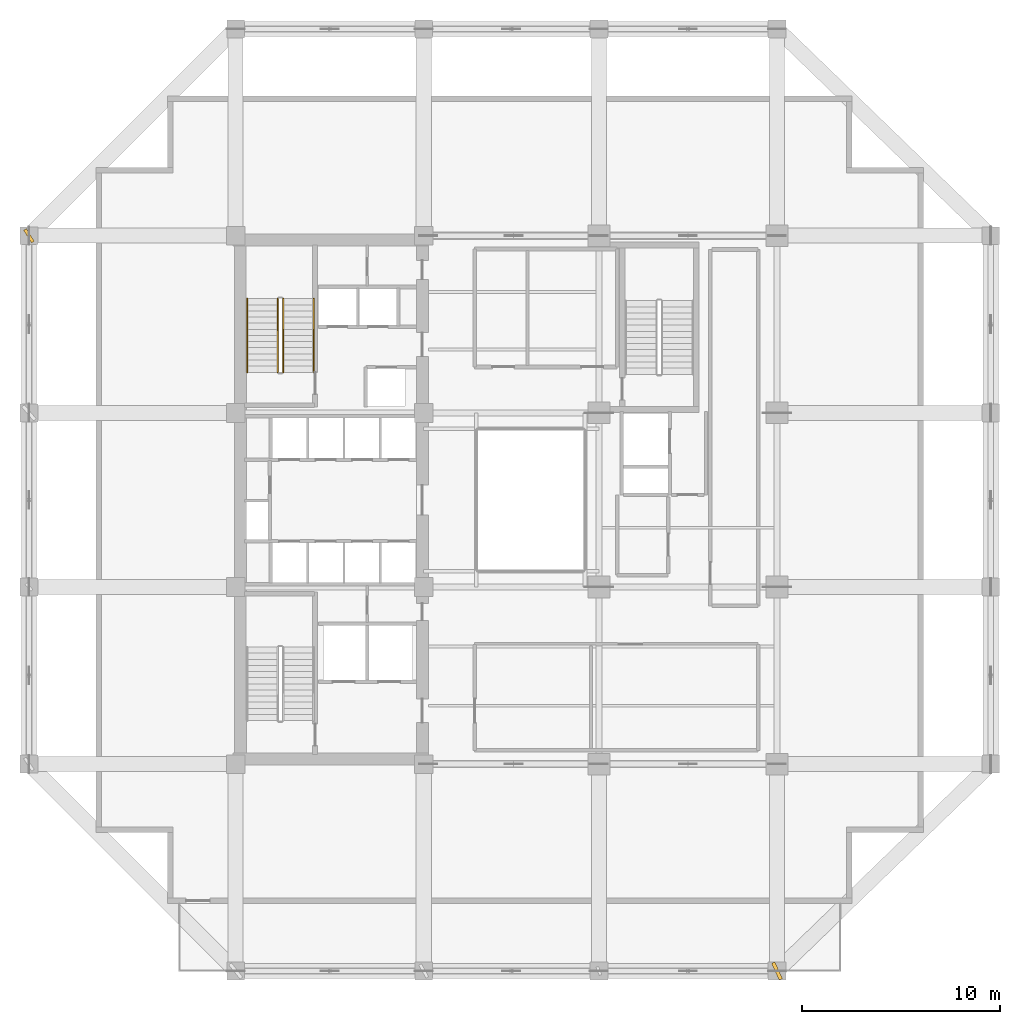
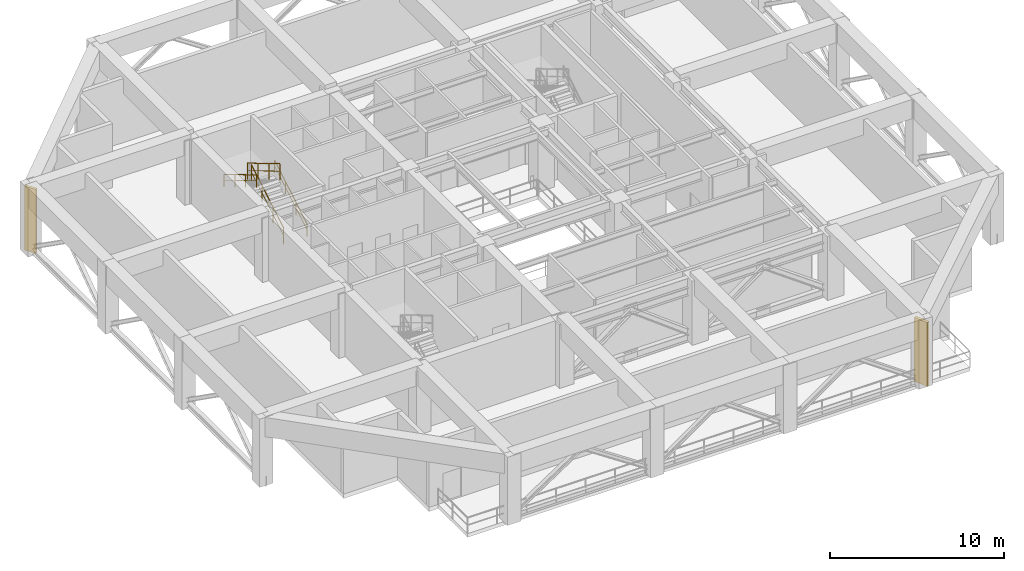
# One storey, part 9 of 10: 4 railings, 2 shading devices.
"""IFC4 building model written with IfcOpenShell, lengths in metres."""

from ifc_helpers import new_model, si_unit, direction, frame, origin, origin_2d, place, context, subcontext, project, spatial, rectangle, extrude, material, type_object, element, save


model = new_model("IFC4")

# Units and contexts
model_context = context("Model", 3, precision=1e-05, world=origin(), true_north=direction((0.0, 1.0)))
body_context = subcontext(model_context, "Body", "Model", "MODEL_VIEW")
ifc_project = project(units=[si_unit("LENGTHUNIT", "METRE"), si_unit("AREAUNIT", "SQUARE_METRE"), si_unit("VOLUMEUNIT", "CUBIC_METRE"), si_unit("PLANEANGLEUNIT", "RADIAN"), si_unit("MASSUNIT", "GRAM", prefix="KILO")], contexts=[model_context])

# Site, building, storey
site_placement = place(None, origin())
site = spatial("IfcSite", under=ifc_project, at=site_placement, CompositionType="ELEMENT")
building_placement = place(site_placement, origin())
building = spatial("IfcBuilding", under=site, at=building_placement, Name="Kundavana Baori Tower", CompositionType="ELEMENT")
storey_placement = place(building_placement, frame((0.0, 0.0, 94.0)))
storey = spatial("IfcBuildingStorey", under=building, at=storey_placement, Name="L22", CompositionType="ELEMENT", Elevation=94.0)

# Railings
ifc_material_1 = material(Name="Architectural Patinated Bronze Metalwork")
railing_type_1 = type_object("IfcRailingType", Name="RL-GRD-1150", PredefinedType="GUARDRAIL", material=ifc_material_1)
railing_1_placement = place(storey_placement, frame((17.840087890625, 35.050048828125, 0.1845703125)))
element("IfcRailing", 1, at=railing_1_placement, inside=storey, type_object=railing_type_1, Name="L22 ST2 stair guard 1", PredefinedType="GUARDRAIL", context=body_context, shape_type="SweptSolid", body=[
    extrude(rectangle(XDim=0.048095703125, YDim=0.048095703125, at=origin_2d()), frame((0.0, 0.0, 1.1259765625), z_axis=(0.0, 0.859184880589, 0.511665262615), x_axis=(-1.0, 0.0, 0.0)), (0.0, 0.0, 1.0), 4.32958984375),
    extrude(rectangle(XDim=0.03125, YDim=0.03125, at=origin_2d()), frame((0.0, 0.0, 0.597900390625), z_axis=(0.0, 0.859184880589, 0.511665262615), x_axis=(-1.0, 0.0, 0.0)), (0.0, 0.0, 1.0), 4.32958984375),
    extrude(rectangle(XDim=0.0419921875, YDim=0.0419921875, at=origin_2d()), origin(), (0.0, 0.0, 1.0), 1.101806640625),
    extrude(rectangle(XDim=0.0419921875, YDim=0.0419921875, at=origin_2d()), frame((0.0, 1.239990234375, 0.738525390625)), (0.0, 0.0, 1.0), 1.101806640625),
    extrude(rectangle(XDim=0.0419921875, YDim=0.0419921875, at=origin_2d()), frame((0.0, 2.47998046875, 1.476806640625)), (0.0, 0.0, 1.0), 1.101806640625),
    extrude(rectangle(XDim=0.0419921875, YDim=0.0419921875, at=origin_2d()), frame((0.0, 3.719970703125, 2.21533203125)), (0.0, 0.0, 1.0), 1.101806640625),
])
railing_2_placement = place(storey_placement, frame((17.580078125, 38.77001953125, 2.584716796875)))
element("IfcRailing", 2, at=railing_2_placement, inside=storey, type_object=railing_type_1, Name="L22 ST2 stair guard 3", PredefinedType="GUARDRAIL", context=body_context, shape_type="SweptSolid", body=[
    extrude(rectangle(XDim=0.048095703125, YDim=0.048095703125, at=origin_2d()), frame((0.0, 0.0, 1.1259765625), z_axis=(0.0, -0.859184880589, 0.511665262615), x_axis=(1.0, 0.0, 0.0)), (0.0, 0.0, 1.0), 4.32958984375),
    extrude(rectangle(XDim=0.03125, YDim=0.03125, at=origin_2d()), frame((0.0, 0.0, 0.597900390625), z_axis=(0.0, -0.859184880589, 0.511665262615), x_axis=(1.0, 0.0, 0.0)), (0.0, 0.0, 1.0), 4.32958984375),
    extrude(rectangle(XDim=0.0419921875, YDim=0.0419921875, at=origin_2d()), origin(), (0.0, 0.0, 1.0), 1.101806640625),
    extrude(rectangle(XDim=0.0419921875, YDim=0.0419921875, at=origin_2d()), frame((0.0, -1.239990234375, 0.738525390625)), (0.0, 0.0, 1.0), 1.101806640625),
    extrude(rectangle(XDim=0.0419921875, YDim=0.0419921875, at=origin_2d()), frame((0.0, -2.47998046875, 1.476806640625)), (0.0, 0.0, 1.0), 1.101806640625),
    extrude(rectangle(XDim=0.0419921875, YDim=0.0419921875, at=origin_2d()), frame((0.0, -3.719970703125, 2.21533203125)), (0.0, 0.0, 1.0), 1.101806640625),
])
ifc_material_2 = material(Name="Architectural Patinated Bronze Metalwork")
railing_type_2 = type_object("IfcRailingType", Name="RL-HND-920", PredefinedType="HANDRAIL", material=ifc_material_2)
railing_3_placement = place(storey_placement, frame((19.389892578125, 35.050048828125, 0.1845703125)))
element("IfcRailing", 3, at=railing_3_placement, inside=storey, type_object=railing_type_2, Name="L22 ST2 stair handrail 1", PredefinedType="HANDRAIL", context=body_context, shape_type="SweptSolid", body=[
    extrude(rectangle(XDim=0.048095703125, YDim=0.048095703125, at=origin_2d()), frame((0.0, 0.0, 0.8759765625), z_axis=(0.0, 0.859184880589, 0.511665262615), x_axis=(-1.0, 0.0, 0.0)), (0.0, 0.0, 1.0), 4.32958984375),
    extrude(rectangle(XDim=0.03125, YDim=0.03125, at=origin_2d()), frame((0.0, 0.0, 0.468017578125), z_axis=(0.0, 0.859184880589, 0.511665262615), x_axis=(-1.0, 0.0, 0.0)), (0.0, 0.0, 1.0), 4.32958984375),
    extrude(rectangle(XDim=0.0419921875, YDim=0.0419921875, at=origin_2d()), origin(), (0.0, 0.0, 1.0), 0.851806640625),
    extrude(rectangle(XDim=0.0419921875, YDim=0.0419921875, at=origin_2d()), frame((0.0, 1.239990234375, 0.738525390625)), (0.0, 0.0, 1.0), 0.851806640625),
    extrude(rectangle(XDim=0.0419921875, YDim=0.0419921875, at=origin_2d()), frame((0.0, 2.47998046875, 1.476806640625)), (0.0, 0.0, 1.0), 0.851806640625),
    extrude(rectangle(XDim=0.0419921875, YDim=0.0419921875, at=origin_2d()), frame((0.0, 3.719970703125, 2.21533203125)), (0.0, 0.0, 1.0), 0.851806640625),
])
railing_4_placement = place(storey_placement, frame((16.030029296875, 38.77001953125, 2.584716796875)))
element("IfcRailing", 4, at=railing_4_placement, inside=storey, type_object=railing_type_2, Name="L22 ST2 stair handrail 2", PredefinedType="HANDRAIL", context=body_context, shape_type="SweptSolid", body=[
    extrude(rectangle(XDim=0.048095703125, YDim=0.048095703125, at=origin_2d()), frame((0.0, 0.0, 0.8759765625), z_axis=(0.0, -0.859184880589, 0.511665262615), x_axis=(1.0, 0.0, 0.0)), (0.0, 0.0, 1.0), 4.32958984375),
    extrude(rectangle(XDim=0.03125, YDim=0.03125, at=origin_2d()), frame((0.0, 0.0, 0.468017578125), z_axis=(0.0, -0.859184880589, 0.511665262615), x_axis=(1.0, 0.0, 0.0)), (0.0, 0.0, 1.0), 4.32958984375),
    extrude(rectangle(XDim=0.0419921875, YDim=0.0419921875, at=origin_2d()), origin(), (0.0, 0.0, 1.0), 0.851806640625),
    extrude(rectangle(XDim=0.0419921875, YDim=0.0419921875, at=origin_2d()), frame((0.0, -1.239990234375, 0.738525390625)), (0.0, 0.0, 1.0), 0.851806640625),
    extrude(rectangle(XDim=0.0419921875, YDim=0.0419921875, at=origin_2d()), frame((0.0, -2.47998046875, 1.476806640625)), (0.0, 0.0, 1.0), 0.851806640625),
    extrude(rectangle(XDim=0.0419921875, YDim=0.0419921875, at=origin_2d()), frame((0.0, -3.719970703125, 2.21533203125)), (0.0, 0.0, 1.0), 0.851806640625),
])

# Shading devices
ifc_material_3 = material(Name="Red-Buff Dholpur Sandstone Cladding on Concrete C40/50", Category="masonry")
shading_device_type_1 = type_object("IfcShadingDeviceType", Name="SHD-FIN-750", PredefinedType="JALOUSIE", material=ifc_material_3)
shading_device_1_placement = place(storey_placement, frame((5.0, 41.949951171875, 0.0), z_axis=(0.0, 0.0, 1.0), x_axis=(0.847307362866, 0.531102845816, 0.0)))
element("IfcShadingDevice", 5, at=shading_device_1_placement, inside=storey, type_object=shading_device_type_1, Name="L22 Sweeping Dholpur Sandstone Facade Fin 8", PredefinedType="JALOUSIE", context=body_context, shape_type="SweptSolid", body=[
    extrude(rectangle(XDim=0.159912109375, YDim=0.75, at=origin_2d()), origin(), (0.0, 0.0, 1.0), 4.5),
])
ifc_material_4 = material(Name="Red-Buff Dholpur Sandstone Cladding on Concrete C40/50", Category="masonry")
shading_device_type_2 = type_object("IfcShadingDeviceType", Name="SHD-FIN-920", PredefinedType="JALOUSIE", material=ifc_material_4)
shading_device_2_placement = place(storey_placement, frame((42.800048828125, 4.800048828125, 0.0), z_axis=(0.0, 0.0, 1.0), x_axis=(0.91082780597, 0.412786516097, 0.0)))
element("IfcShadingDevice", 6, at=shading_device_2_placement, inside=storey, type_object=shading_device_type_2, Name="L22 Sweeping Dholpur Sandstone Facade Fin 4", PredefinedType="JALOUSIE", context=body_context, shape_type="SweptSolid", body=[
    extrude(rectangle(XDim=0.179931640625, YDim=0.919921875, at=origin_2d()), origin(), (0.0, 0.0, 1.0), 4.5),
])

save(model, "model.ifc")
